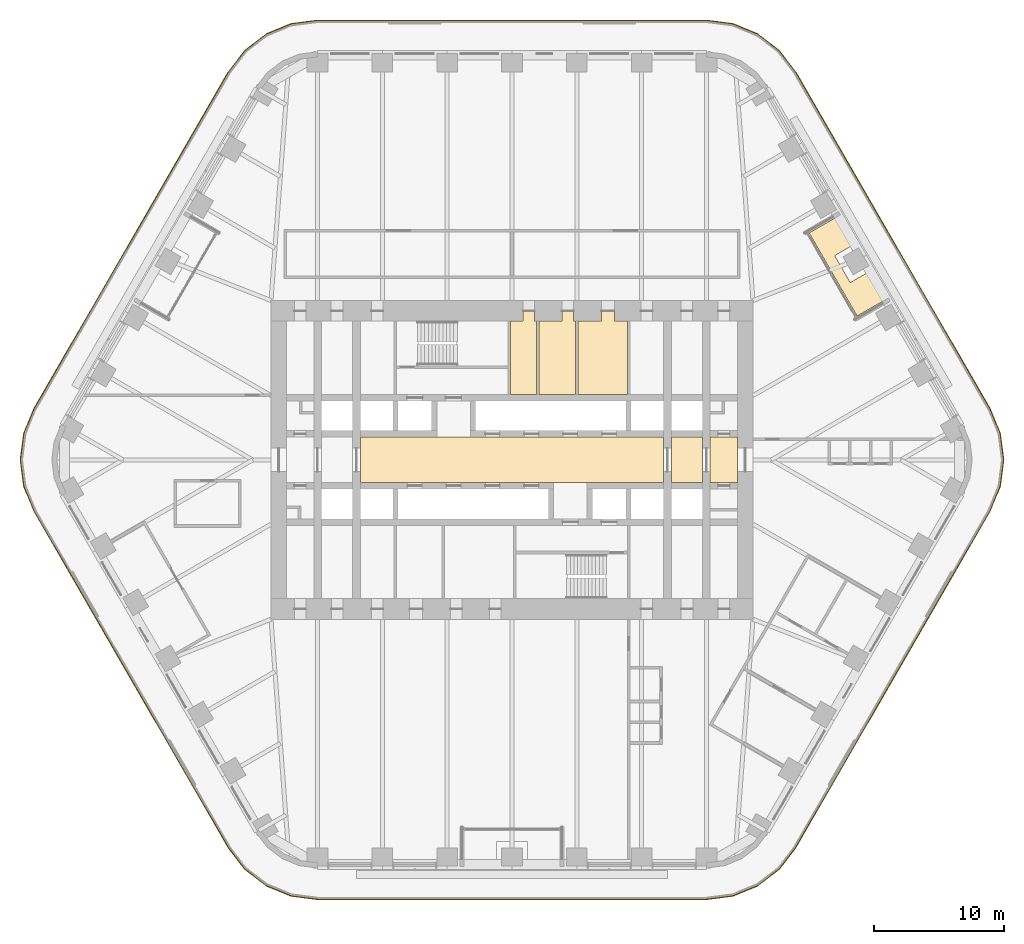
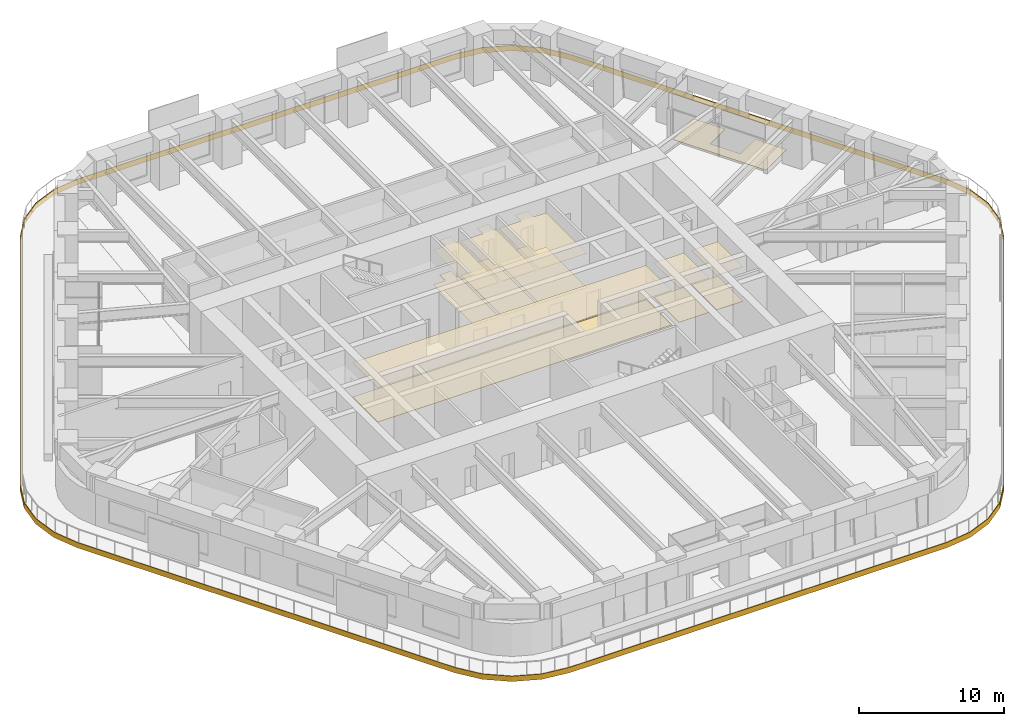
# One storey, part 23 of 24: 14 coverings.
"""IFC4 building model written with IfcOpenShell, lengths in metres."""

from ifc_helpers import new_model, si_unit, direction, frame, origin, place, context, subcontext, project, spatial, polyline, outline, extrude, material, layer, layer_set, type_object, element, save


model = new_model("IFC4")

# Units and contexts
model_context = context("Model", 3, precision=1e-05, world=origin(), true_north=direction((0.0, 1.0)))
body_context = subcontext(model_context, "Body", "Model", "MODEL_VIEW")
ifc_project = project(units=[si_unit("LENGTHUNIT", "METRE"), si_unit("AREAUNIT", "SQUARE_METRE"), si_unit("VOLUMEUNIT", "CUBIC_METRE"), si_unit("PLANEANGLEUNIT", "RADIAN"), si_unit("MASSUNIT", "GRAM", prefix="KILO")], contexts=[model_context])

# Site, building, storey
site_placement = place(None, origin())
site = spatial("IfcSite", under=ifc_project, at=site_placement, CompositionType="ELEMENT")
building_placement = place(site_placement, origin())
building = spatial("IfcBuilding", under=site, at=building_placement, Name="Tarfa Lantern Tower", CompositionType="ELEMENT")
storey_placement = place(building_placement, frame((0.0, 0.0, 165.699951171875)))
storey = spatial("IfcBuildingStorey", under=building, at=storey_placement, Name="L37", CompositionType="ELEMENT", Elevation=165.699951171875)

# Coverings
ifc_material_1 = material(Name="Moisture-resistant plasterboard", Category="finish")
ifc_layer_1 = layer(ifc_material_1, 0.014892578125)
ifc_layer_set_1 = layer_set([ifc_layer_1], Name="CL2 MOISTURE-RESISTANT PLASTERBOARD CEILING 15")
covering_type_1 = type_object("IfcCoveringType", Name="CL2 MOISTURE-RESISTANT PLASTERBOARD CEILING 15", PredefinedType="CEILING", material=ifc_layer_set_1)
covering_1_placement = place(storey_placement, frame((0.0, 0.0, 2.900146484375)))
element("IfcCovering", 1, at=covering_1_placement, inside=storey, type_object=covering_type_1, Name="Ceiling L37-09", PredefinedType="CEILING", context=body_context, shape_type="SweptSolid", body=[
    extrude(outline(polyline([(0.85009765625, 10.699951171875), (-0.10009765625, 10.699951171875), (-0.10009765625, 5.050048828125), (1.89990234375, 5.050048828125), (1.89990234375, 10.699951171875), (1.75, 10.699951171875), (1.75, 11.5), (1.75, 11.5), (0.85009765625, 11.5), (0.85009765625, 10.699951171875)])), origin(), (0.0, 0.0, 1.0), 0.014892578125),
])
covering_2_placement = place(storey_placement, frame((0.0, 0.0, 2.900146484375)))
element("IfcCovering", 2, at=covering_2_placement, inside=storey, type_object=covering_type_1, Name="Ceiling L37-10", PredefinedType="CEILING", context=body_context, shape_type="SweptSolid", body=[
    extrude(outline(polyline([(2.10009765625, 5.050048828125), (4.89990234375, 5.050048828125), (4.89990234375, 10.699951171875), (4.75, 10.699951171875), (4.75, 11.5), (3.85009765625, 11.5), (3.85009765625, 10.699951171875), (2.10009765625, 10.699951171875), (2.10009765625, 5.050048828125)])), origin(), (0.0, 0.0, 1.0), 0.014892578125),
])
covering_3_placement = place(storey_placement, frame((0.0, 0.0, 2.900146484375)))
element("IfcCovering", 3, at=covering_3_placement, inside=storey, type_object=covering_type_1, Name="Ceiling L37-11", PredefinedType="CEILING", context=body_context, shape_type="SweptSolid", body=[
    extrude(outline(polyline([(5.10009765625, 5.050048828125), (8.89990234375, 5.050048828125), (8.89990234375, 10.699951171875), (7.89990234375, 10.699951171875), (7.89990234375, 11.5), (6.89990234375, 11.5), (6.89990234375, 10.699951171875), (5.10009765625, 10.699951171875), (5.10009765625, 5.050048828125)])), origin(), (0.0, 0.0, 1.0), 0.014892578125),
])
ifc_material_2 = material(Name="Powder-coated aluminium panel", Category="aluminium")
ifc_layer_2 = layer(ifc_material_2, 0.030029296875)
ifc_layer_set_2 = layer_set([ifc_layer_2], Name="CL3 METAL PANEL CEILING 30")
covering_type_2 = type_object("IfcCoveringType", Name="CL3 METAL PANEL CEILING 30", PredefinedType="CEILING", material=ifc_layer_set_2)
covering_4_placement = place(storey_placement, frame((0.0, 0.0, 2.900146484375)))
element("IfcCovering", 4, at=covering_4_placement, inside=storey, type_object=covering_type_2, Name="Ceiling L37-03", PredefinedType="CEILING", context=body_context, shape_type="SweptSolid", body=[
    extrude(outline(polyline([(-11.699951171875, -1.75), (11.699951171875, -1.75), (11.699951171875, 1.75), (-11.699951171875, 1.75), (-11.699951171875, -1.75)])), origin(), (0.0, 0.0, 1.0), 0.02978515625),
])
covering_5_placement = place(storey_placement, frame((0.0, 0.0, 2.900146484375)))
element("IfcCovering", 5, at=covering_5_placement, inside=storey, type_object=covering_type_2, Name="Ceiling L37-04", PredefinedType="CEILING", context=body_context, shape_type="SweptSolid", body=[
    extrude(outline(polyline([(12.300048828125, -1.75), (14.699951171875, -1.75), (14.699951171875, 1.75), (12.300048828125, 1.75), (12.300048828125, -1.75)])), origin(), (0.0, 0.0, 1.0), 0.02978515625),
])
covering_6_placement = place(storey_placement, frame((0.0, 0.0, 2.900146484375)))
element("IfcCovering", 6, at=covering_6_placement, inside=storey, type_object=covering_type_2, Name="Ceiling L37-05", PredefinedType="CEILING", context=body_context, shape_type="SweptSolid", body=[
    extrude(outline(polyline([(15.300048828125, -1.75), (17.39990234375, -1.75), (17.39990234375, 1.75), (15.300048828125, 1.75), (15.300048828125, -1.75)])), origin(), (0.0, 0.0, 1.0), 0.02978515625),
])
ifc_material_3 = material(Name="Honed limestone flooring", Category="masonry")
ifc_layer_3 = layer(ifc_material_3, 0.030029296875)
ifc_layer_set_3 = layer_set([ifc_layer_3], Name="FL2 STONE FLOORING 30")
covering_type_3 = type_object("IfcCoveringType", Name="FL2 STONE FLOORING 30", PredefinedType="FLOORING", material=ifc_layer_set_3)
covering_7_placement = place(storey_placement, origin())
element("IfcCovering", 7, at=covering_7_placement, inside=storey, type_object=covering_type_3, Name="Floor finish L37-03", PredefinedType="FLOORING", context=body_context, shape_type="SweptSolid", body=[
    extrude(outline(polyline([(-11.699951171875, -1.75), (11.699951171875, -1.75), (11.699951171875, 1.75), (-11.699951171875, 1.75), (-11.699951171875, -1.75)])), origin(), (0.0, 0.0, 1.0), 0.030029296875),
])
covering_8_placement = place(storey_placement, origin())
element("IfcCovering", 8, at=covering_8_placement, inside=storey, type_object=covering_type_3, Name="Floor finish L37-04", PredefinedType="FLOORING", context=body_context, shape_type="SweptSolid", body=[
    extrude(outline(polyline([(12.300048828125, -1.75), (14.699951171875, -1.75), (14.699951171875, 1.75), (12.300048828125, 1.75), (12.300048828125, -1.75)])), origin(), (0.0, 0.0, 1.0), 0.030029296875),
])
covering_9_placement = place(storey_placement, origin())
element("IfcCovering", 9, at=covering_9_placement, inside=storey, type_object=covering_type_3, Name="Floor finish L37-05", PredefinedType="FLOORING", context=body_context, shape_type="SweptSolid", body=[
    extrude(outline(polyline([(15.300048828125, -1.75), (17.39990234375, -1.75), (17.39990234375, 1.75), (15.300048828125, 1.75), (15.300048828125, -1.75)])), origin(), (0.0, 0.0, 1.0), 0.030029296875),
])
ifc_material_4 = material(Name="Porcelain floor tile", Category="finish")
ifc_layer_4 = layer(ifc_material_4, 0.011962890625)
ifc_layer_set_4 = layer_set([ifc_layer_4], Name="FL3 CERAMIC TILE 12")
covering_type_4 = type_object("IfcCoveringType", Name="FL3 CERAMIC TILE 12", PredefinedType="FLOORING", material=ifc_layer_set_4)
covering_10_placement = place(storey_placement, origin())
element("IfcCovering", 10, at=covering_10_placement, inside=storey, type_object=covering_type_4, Name="Floor finish L37-09", PredefinedType="FLOORING", context=body_context, shape_type="SweptSolid", body=[
    extrude(outline(polyline([(0.85009765625, 10.699951171875), (-0.10009765625, 10.699951171875), (-0.10009765625, 5.050048828125), (1.89990234375, 5.050048828125), (1.89990234375, 10.699951171875), (1.75, 10.699951171875), (1.75, 11.5), (1.75, 11.5), (0.85009765625, 11.5), (0.85009765625, 10.699951171875)])), origin(), (0.0, 0.0, 1.0), 0.011962890625),
])
covering_11_placement = place(storey_placement, origin())
element("IfcCovering", 11, at=covering_11_placement, inside=storey, type_object=covering_type_4, Name="Floor finish L37-10", PredefinedType="FLOORING", context=body_context, shape_type="SweptSolid", body=[
    extrude(outline(polyline([(2.10009765625, 5.050048828125), (4.89990234375, 5.050048828125), (4.89990234375, 10.699951171875), (4.75, 10.699951171875), (4.75, 11.5), (3.85009765625, 11.5), (3.85009765625, 10.699951171875), (2.10009765625, 10.699951171875), (2.10009765625, 5.050048828125)])), origin(), (0.0, 0.0, 1.0), 0.011962890625),
])
covering_12_placement = place(storey_placement, origin())
element("IfcCovering", 12, at=covering_12_placement, inside=storey, type_object=covering_type_4, Name="Floor finish L37-11", PredefinedType="FLOORING", context=body_context, shape_type="SweptSolid", body=[
    extrude(outline(polyline([(5.10009765625, 5.050048828125), (8.89990234375, 5.050048828125), (8.89990234375, 10.699951171875), (7.89990234375, 10.699951171875), (7.89990234375, 11.5), (6.89990234375, 11.5), (6.89990234375, 10.699951171875), (5.10009765625, 10.699951171875), (5.10009765625, 5.050048828125)])), origin(), (0.0, 0.0, 1.0), 0.011962890625),
])
ifc_material_5 = material(Name="Porcelain pavers on pedestals", Category="ceramic")
ifc_layer_5 = layer(ifc_material_5, 0.0400390625)
ifc_layer_set_5 = layer_set([ifc_layer_5], Name="LP1 LOGGIA PAVING 40")
covering_type_5 = type_object("IfcCoveringType", Name="LP1 LOGGIA PAVING 40", PredefinedType="FLOORING", material=ifc_layer_set_5)
covering_13_placement = place(storey_placement, origin())
element("IfcCovering", 13, at=covering_13_placement, inside=storey, type_object=covering_type_5, Name="Loggia paving NE", PredefinedType="FLOORING", context=body_context, shape_type="SweptSolid", body=[
    extrude(outline(polyline([(29.131591796875, 12.54248046875), (26.637451171875, 11.1025390625), (22.933837890625, 17.517578125), (25.427978515625, 18.95751953125), (26.6796875, 16.789306640625), (24.904541015625, 15.76416015625), (26.1044921875, 13.685791015625), (27.8798828125, 14.710693359375), (29.131591796875, 12.54248046875)])), origin(), (0.0, 0.0, 1.0), 0.0400390625),
])
ifc_material_6 = material(Name="Limestone cladding on brackets", Category="masonry")
ifc_layer_6 = layer(ifc_material_6, 0.050048828125)
ifc_layer_set_6 = layer_set([ifc_layer_6], Name="SB1 STONE BAND CLADDING 50")
covering_type_6 = type_object("IfcCoveringType", Name="SB1 STONE BAND CLADDING 50", PredefinedType="CLADDING", material=ifc_layer_set_6)
covering_14_placement = place(storey_placement, frame((0.0, 0.0, -0.39990234375)))
element("IfcCovering", 14, at=covering_14_placement, inside=storey, type_object=covering_type_6, Name="Stone band", PredefinedType="CLADDING", context=body_context, shape_type="SweptSolid", body=[
    extrude(outline(polyline([(36.9072265625, 3.97509765625), (21.89599609375, 29.97509765625), (20.632568359375, 31.62158203125), (18.986083984375, 32.885009765625), (17.068603515625, 33.67919921875), (15.010986328125, 33.949951171875), (-15.010986328125, 33.949951171875), (-17.068603515625, 33.67919921875), (-18.986083984375, 32.885009765625), (-20.632568359375, 31.62158203125), (-21.89599609375, 29.97509765625), (-36.9072265625, 3.97509765625), (-37.701416015625, 2.0576171875), (-37.97216796875, 0.0), (-37.701416015625, -2.0576171875), (-36.9072265625, -3.97509765625), (-21.89599609375, -29.97509765625), (-20.632568359375, -31.62158203125), (-18.986083984375, -32.885009765625), (-17.068603515625, -33.67919921875), (-15.010986328125, -33.949951171875), (15.010986328125, -33.949951171875), (17.068603515625, -33.67919921875), (18.986083984375, -32.885009765625), (20.632568359375, -31.62158203125), (21.89599609375, -29.97509765625), (36.9072265625, -3.97509765625), (37.701416015625, -2.0576171875), (37.97216796875, 0.0), (37.701416015625, 2.0576171875), (36.9072265625, 3.97509765625)]), holes=[polyline([(36.86376953125, 3.949951171875), (21.852783203125, 29.949951171875), (20.59716796875, 31.586181640625), (18.961181640625, 32.841552734375), (17.0556640625, 33.630859375), (15.010986328125, 33.89990234375), (-15.010986328125, 33.89990234375), (-17.0556640625, 33.630859375), (-18.961181640625, 32.841552734375), (-20.59716796875, 31.586181640625), (-21.852783203125, 29.949951171875), (-36.86376953125, 3.949951171875), (-37.653076171875, 2.044677734375), (-37.922119140625, 0.0), (-37.653076171875, -2.044677734375), (-36.86376953125, -3.949951171875), (-21.852783203125, -29.949951171875), (-20.59716796875, -31.586181640625), (-18.961181640625, -32.841552734375), (-17.0556640625, -33.630859375), (-15.010986328125, -33.89990234375), (15.010986328125, -33.89990234375), (17.0556640625, -33.630859375), (18.961181640625, -32.841552734375), (20.59716796875, -31.586181640625), (21.852783203125, -29.949951171875), (36.86376953125, -3.949951171875), (37.653076171875, -2.044677734375), (37.922119140625, 0.0), (37.653076171875, 2.044677734375), (36.86376953125, 3.949951171875)])]), origin(), (0.0, 0.0, 1.0), 0.449951171875),
])

save(model, "model.ifc")
